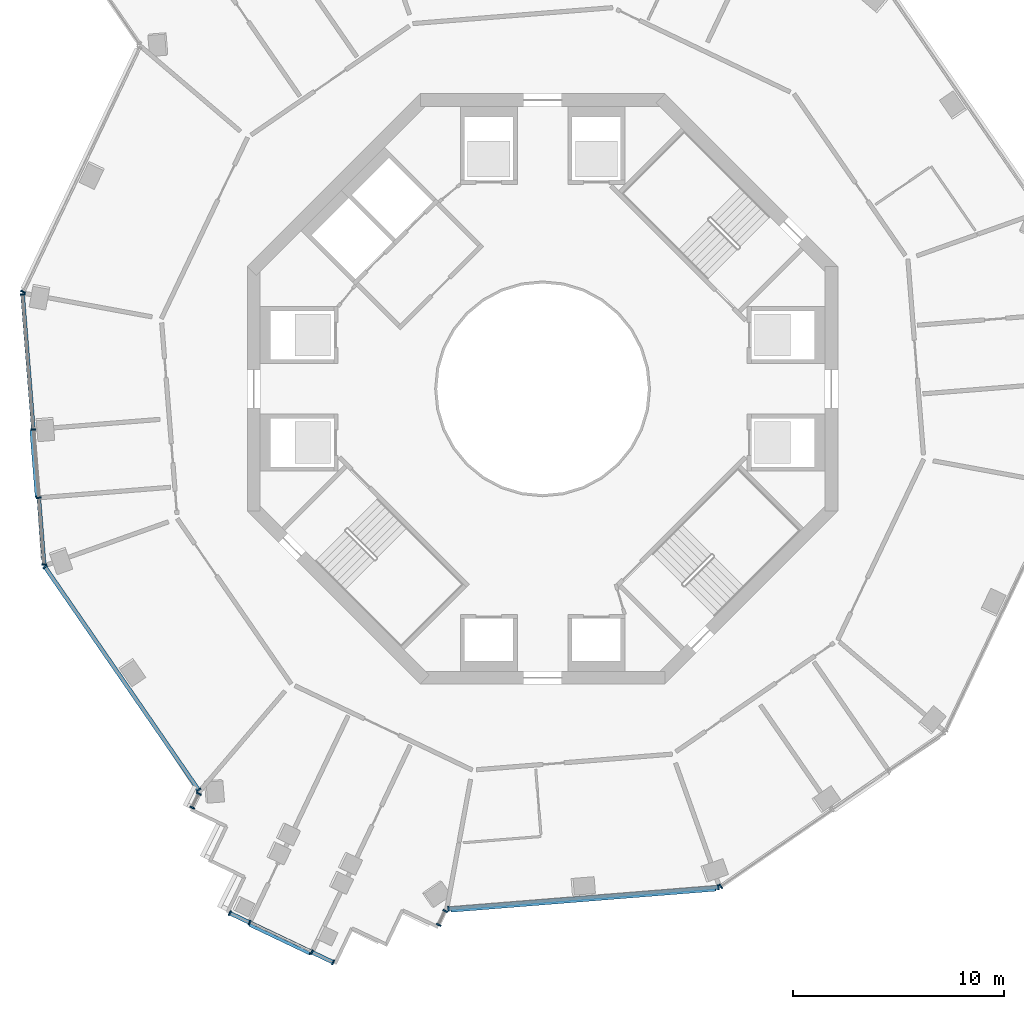
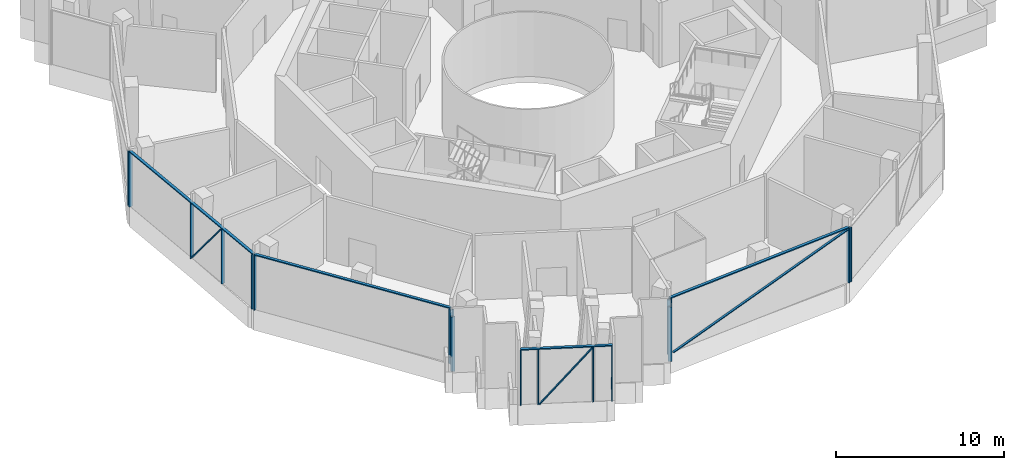
# One storey, part 2 of 21: 25 members, 8 elements without a shape of their own.
"""IFC4 building model written with IfcOpenShell, lengths in metres."""

from ifc_helpers import new_model, si_unit, direction, frame, origin, origin_2d, place, context, subcontext, project, spatial, rectangle, extrude, material, layer, layer_set, material_profile, profile_set, type_object, element, aggregate, save


model = new_model("IFC4")

# Units and contexts
model_context = context("Model", 3, precision=1e-05, world=origin(), true_north=direction((0.0, 1.0)))
body_context = subcontext(model_context, "Body", "Model", "MODEL_VIEW")
ifc_project = project(units=[si_unit("LENGTHUNIT", "METRE"), si_unit("AREAUNIT", "SQUARE_METRE"), si_unit("VOLUMEUNIT", "CUBIC_METRE"), si_unit("PLANEANGLEUNIT", "RADIAN"), si_unit("MASSUNIT", "GRAM", prefix="KILO")], contexts=[model_context])

# Site, building, storey
site_placement = place(None, origin())
site = spatial("IfcSite", under=ifc_project, at=site_placement, CompositionType="ELEMENT")
building_placement = place(site_placement, origin())
building = spatial("IfcBuilding", under=site, at=building_placement, Name="Verdalira Terraces Hotel", CompositionType="ELEMENT")
storey_placement = place(building_placement, frame((0.0, 0.0, 175.0)))
storey = spatial("IfcBuildingStorey", under=building, at=storey_placement, Name="L42", CompositionType="ELEMENT", Elevation=175.0)

# Curtain wall, member
ifc_material_1 = material(Name="Clear glass", Category="glass")
ifc_layer = layer(ifc_material_1, 0.239990234375)
ifc_layer_set = layer_set([ifc_layer], Name="CW5 curtain wall")
curtain_wall_type = type_object("IfcCurtainWallType", Name="CW5 curtain wall", PredefinedType="NOTDEFINED", material=ifc_layer_set)
curtain_wall_1_placement = place(storey_placement, origin())
curtain_wall_1 = element("IfcCurtainWall", 1, at=curtain_wall_1_placement, inside=storey, type_object=curtain_wall_type, Name="CW5 curtain wall L42 edge 11", PredefinedType="NOTDEFINED")
ifc_material_2 = material(Name="Terracotta frame", Category="masonry")
ifc_material_profile_1 = material_profile(ifc_material_2, rectangle(XDim=0.070068, YDim=0.23999, at=origin_2d()), Name="MU 70x240")
ifc_profile_set_1 = profile_set([ifc_material_profile_1], Name="Terracotta frame")
member_type_1 = type_object("IfcMemberType", Name="CW5 mullion 70x240", PredefinedType="MULLION", material=ifc_profile_set_1)
member_1_placement = place(storey_placement, frame((-24.638916, 4.605713, 0.0), z_axis=(0.0, 0.0, 1.0), x_axis=(-0.429565676, -0.90303562, 0.0)))
member_1 = element("IfcMember", 2, at=member_1_placement, type_object=member_type_1, Name="CW5 mullion", PredefinedType="MULLION", context=body_context, shape_type="SweptSolid", body=[
    extrude(rectangle(XDim=0.070068, YDim=0.23999, at=origin_2d()), origin(), (0.0, 0.0, 1.0), 3.965088),
])
aggregate(curtain_wall_1, [member_1])

# Curtain wall, members
curtain_wall_2_placement = place(storey_placement, origin())
curtain_wall_2 = element("IfcCurtainWall", 3, at=curtain_wall_2_placement, inside=storey, type_object=curtain_wall_type, Name="CW5 curtain wall L42 edge 12", PredefinedType="NOTDEFINED")
member_2_placement = place(storey_placement, frame((-24.662354, 4.478271, 0.0), z_axis=(0.0, 0.0, 1.0), x_axis=(0.079503022, -0.996834625, 0.0)))
member_2 = element("IfcMember", 4, at=member_2_placement, type_object=member_type_1, Name="CW5 mullion", PredefinedType="MULLION", context=body_context, shape_type="SweptSolid", body=[
    extrude(rectangle(XDim=0.070068, YDim=0.23999, at=origin_2d()), origin(), (0.0, 0.0, 1.0), 3.965088),
])
member_3_placement = place(storey_placement, frame((-24.151611, -1.92627, 0.0), z_axis=(0.0, 0.0, 1.0), x_axis=(0.079503022, -0.996834625, 0.0)))
member_3 = element("IfcMember", 5, at=member_3_placement, type_object=member_type_1, Name="CW5 mullion", PredefinedType="MULLION", context=body_context, shape_type="SweptSolid", body=[
    extrude(rectangle(XDim=0.070068, YDim=0.23999, at=origin_2d()), origin(), (0.0, 0.0, 1.0), 3.965088),
])
member_4_placement = place(storey_placement, frame((-23.893311, -5.166016, 0.0), z_axis=(0.0, 0.0, 1.0), x_axis=(0.079503022, -0.996834625, 0.0)))
member_4 = element("IfcMember", 6, at=member_4_placement, type_object=member_type_1, Name="CW5 mullion", PredefinedType="MULLION", context=body_context, shape_type="SweptSolid", body=[
    extrude(rectangle(XDim=0.070068, YDim=0.23999, at=origin_2d()), origin(), (0.0, 0.0, 1.0), 3.965088),
])
member_5_placement = place(storey_placement, frame((-23.640869, -8.330811, 0.0), z_axis=(0.0, 0.0, 1.0), x_axis=(0.079503022, -0.996834625, 0.0)))
member_5 = element("IfcMember", 7, at=member_5_placement, type_object=member_type_1, Name="CW5 mullion", PredefinedType="MULLION", context=body_context, shape_type="SweptSolid", body=[
    extrude(rectangle(XDim=0.070068, YDim=0.23999, at=origin_2d()), origin(), (0.0, 0.0, 1.0), 3.965088),
])

curtain_wall_3_placement = place(storey_placement, origin())
curtain_wall_3 = element("IfcCurtainWall", 8, at=curtain_wall_3_placement, inside=storey, type_object=curtain_wall_type, Name="CW5 curtain wall L42 edge 13", PredefinedType="NOTDEFINED")
member_6_placement = place(storey_placement, frame((-23.597412, -8.452881, 0.0), z_axis=(0.0, 0.0, 1.0), x_axis=(0.567268949, -0.823532598, 0.0)))
member_6 = element("IfcMember", 9, at=member_6_placement, type_object=member_type_1, Name="CW5 mullion", PredefinedType="MULLION", context=body_context, shape_type="SweptSolid", body=[
    extrude(rectangle(XDim=0.070068, YDim=0.23999, at=origin_2d()), origin(), (0.0, 0.0, 1.0), 3.965088),
])
member_7_placement = place(storey_placement, frame((-16.314941, -19.025391, 0.0), z_axis=(0.0, 0.0, 1.0), x_axis=(0.567268949, -0.823532598, 0.0)))
member_7 = element("IfcMember", 10, at=member_7_placement, type_object=member_type_1, Name="CW5 mullion", PredefinedType="MULLION", context=body_context, shape_type="SweptSolid", body=[
    extrude(rectangle(XDim=0.070068, YDim=0.23999, at=origin_2d()), origin(), (0.0, 0.0, 1.0), 3.965088),
])

curtain_wall_4_placement = place(storey_placement, origin())
curtain_wall_4 = element("IfcCurtainWall", 11, at=curtain_wall_4_placement, inside=storey, type_object=curtain_wall_type, Name="CW5 curtain wall L42 edge 14", PredefinedType="NOTDEFINED")
member_8_placement = place(storey_placement, frame((-16.300537, -19.205322, 0.0), z_axis=(0.0, 0.0, 1.0), x_axis=(-0.429565676, -0.90303562, 0.0)))
member_8 = element("IfcMember", 12, at=member_8_placement, type_object=member_type_1, Name="CW5 mullion", PredefinedType="MULLION", context=body_context, shape_type="SweptSolid", body=[
    extrude(rectangle(XDim=0.070068, YDim=0.23999, at=origin_2d()), origin(), (0.0, 0.0, 1.0), 3.965088),
])
member_9_placement = place(storey_placement, frame((-16.613281, -19.862793, 0.0), z_axis=(0.0, 0.0, 1.0), x_axis=(-0.429565676, -0.90303562, 0.0)))
member_9 = element("IfcMember", 13, at=member_9_placement, type_object=member_type_1, Name="CW5 mullion", PredefinedType="MULLION", context=body_context, shape_type="SweptSolid", body=[
    extrude(rectangle(XDim=0.070068, YDim=0.23999, at=origin_2d()), origin(), (0.0, 0.0, 1.0), 3.965088),
])
aggregate(curtain_wall_4, [member_8, member_9])

curtain_wall_5_placement = place(storey_placement, origin())
curtain_wall_5 = element("IfcCurtainWall", 14, at=curtain_wall_5_placement, inside=storey, type_object=curtain_wall_type, Name="CW5 curtain wall L42 edge 19", PredefinedType="NOTDEFINED")
member_10_placement = place(storey_placement, frame((-14.835449, -24.866699, 0.0), z_axis=(0.0, 0.0, 1.0), x_axis=(0.90303562, -0.429565676, 0.0)))
member_10 = element("IfcMember", 15, at=member_10_placement, type_object=member_type_1, Name="CW5 mullion", PredefinedType="MULLION", context=body_context, shape_type="SweptSolid", body=[
    extrude(rectangle(XDim=0.070068, YDim=0.23999, at=origin_2d()), origin(), (0.0, 0.0, 1.0), 3.965088),
])
member_11_placement = place(storey_placement, frame((-13.891846, -25.315674, 0.0), z_axis=(0.0, 0.0, 1.0), x_axis=(0.90303562, -0.429565676, 0.0)))
member_11 = element("IfcMember", 16, at=member_11_placement, type_object=member_type_1, Name="CW5 mullion", PredefinedType="MULLION", context=body_context, shape_type="SweptSolid", body=[
    extrude(rectangle(XDim=0.070068, YDim=0.23999, at=origin_2d()), origin(), (0.0, 0.0, 1.0), 3.965088),
])
member_12_placement = place(storey_placement, frame((-10.943848, -26.718018, 0.0), z_axis=(0.0, 0.0, 1.0), x_axis=(0.90303562, -0.429565676, 0.0)))
member_12 = element("IfcMember", 17, at=member_12_placement, type_object=member_type_1, Name="CW5 mullion", PredefinedType="MULLION", context=body_context, shape_type="SweptSolid", body=[
    extrude(rectangle(XDim=0.070068, YDim=0.23999, at=origin_2d()), origin(), (0.0, 0.0, 1.0), 3.965088),
])
member_13_placement = place(storey_placement, frame((-9.931885, -27.199219, 0.0), z_axis=(0.0, 0.0, 1.0), x_axis=(0.90303562, -0.429565676, 0.0)))
member_13 = element("IfcMember", 18, at=member_13_placement, type_object=member_type_1, Name="CW5 mullion", PredefinedType="MULLION", context=body_context, shape_type="SweptSolid", body=[
    extrude(rectangle(XDim=0.070068, YDim=0.23999, at=origin_2d()), origin(), (0.0, 0.0, 1.0), 3.965088),
])

curtain_wall_6_placement = place(storey_placement, origin())
curtain_wall_6 = element("IfcCurtainWall", 19, at=curtain_wall_6_placement, inside=storey, type_object=curtain_wall_type, Name="CW5 curtain wall L42 edge 24", PredefinedType="NOTDEFINED")
member_14_placement = place(storey_placement, frame((-4.927979, -25.421387, 0.0), z_axis=(0.0, 0.0, 1.0), x_axis=(0.429565676, 0.90303562, 0.0)))
member_14 = element("IfcMember", 20, at=member_14_placement, type_object=member_type_1, Name="CW5 mullion", PredefinedType="MULLION", context=body_context, shape_type="SweptSolid", body=[
    extrude(rectangle(XDim=0.070068, YDim=0.23999, at=origin_2d()), origin(), (0.0, 0.0, 1.0), 3.965088),
])
member_15_placement = place(storey_placement, frame((-4.615234, -24.763916, 0.0), z_axis=(0.0, 0.0, 1.0), x_axis=(0.429565676, 0.90303562, 0.0)))
member_15 = element("IfcMember", 21, at=member_15_placement, type_object=member_type_1, Name="CW5 mullion", PredefinedType="MULLION", context=body_context, shape_type="SweptSolid", body=[
    extrude(rectangle(XDim=0.070068, YDim=0.23999, at=origin_2d()), origin(), (0.0, 0.0, 1.0), 3.965088),
])
aggregate(curtain_wall_6, [member_14, member_15])

curtain_wall_7_placement = place(storey_placement, origin())
curtain_wall_7 = element("IfcCurtainWall", 22, at=curtain_wall_7_placement, inside=storey, type_object=curtain_wall_type, Name="CW5 curtain wall L42 edge 25", PredefinedType="NOTDEFINED")
member_16_placement = place(storey_placement, frame((-4.466553, -24.661377, 0.0), z_axis=(0.0, 0.0, 1.0), x_axis=(0.996834625, 0.079503022, 0.0)))
member_16 = element("IfcMember", 23, at=member_16_placement, type_object=member_type_1, Name="CW5 mullion", PredefinedType="MULLION", context=body_context, shape_type="SweptSolid", body=[
    extrude(rectangle(XDim=0.070068, YDim=0.23999, at=origin_2d()), origin(), (0.0, 0.0, 1.0), 3.965088),
])
member_17_placement = place(storey_placement, frame((8.330811, -23.640869, 0.0), z_axis=(0.0, 0.0, 1.0), x_axis=(0.996834625, 0.079503022, 0.0)))
member_17 = element("IfcMember", 24, at=member_17_placement, type_object=member_type_1, Name="CW5 mullion", PredefinedType="MULLION", context=body_context, shape_type="SweptSolid", body=[
    extrude(rectangle(XDim=0.070068, YDim=0.23999, at=origin_2d()), origin(), (0.0, 0.0, 1.0), 3.965088),
])

# Curtain wall, member
curtain_wall_8_placement = place(storey_placement, origin())
curtain_wall_8 = element("IfcCurtainWall", 25, at=curtain_wall_8_placement, inside=storey, type_object=curtain_wall_type, Name="CW5 curtain wall L42 edge 26", PredefinedType="NOTDEFINED")
member_18_placement = place(storey_placement, frame((8.452881, -23.597412, 0.0), z_axis=(0.0, 0.0, 1.0), x_axis=(0.823532598, 0.567268949, 0.0)))
member_18 = element("IfcMember", 26, at=member_18_placement, type_object=member_type_1, Name="CW5 mullion", PredefinedType="MULLION", context=body_context, shape_type="SweptSolid", body=[
    extrude(rectangle(XDim=0.070068, YDim=0.23999, at=origin_2d()), origin(), (0.0, 0.0, 1.0), 3.965088),
])
aggregate(curtain_wall_8, [member_18])

# Member
ifc_material_3 = material(Name="Terracotta frame", Category="masonry")
ifc_material_profile_2 = material_profile(ifc_material_3, rectangle(XDim=0.189941, YDim=0.074951, at=origin_2d()), Name="TR 75x190")
ifc_profile_set_2 = profile_set([ifc_material_profile_2], Name="Terracotta frame")
member_type_2 = type_object("IfcMemberType", Name="CW5 transom 75x190", PredefinedType="USERDEFINED", material=ifc_profile_set_2)
member_19_placement = place(storey_placement, frame((-24.665283, 4.513184, 4.002441), z_axis=(0.079499619, -0.996834896, 0.0), x_axis=(0.996834896, 0.079499619, 0.0)))
member_19 = element("IfcMember", 27, at=member_19_placement, type_object=member_type_2, Name="CW5 transom", ObjectType="TRANSOM", PredefinedType="USERDEFINED", context=body_context, shape_type="SweptSolid", body=[
    extrude(rectangle(XDim=0.189941, YDim=0.074951, at=origin_2d()), origin(), (0.0, 0.0, 1.0), 12.919434),
])

member_20_placement = place(storey_placement, frame((-23.617188, -8.424072, 4.002441), z_axis=(0.567255068, -0.823542159, 0.0), x_axis=(0.823542159, 0.567255068, 0.0)))
member_20 = element("IfcMember", 28, at=member_20_placement, type_object=member_type_2, Name="CW5 transom", ObjectType="TRANSOM", PredefinedType="USERDEFINED", context=body_context, shape_type="SweptSolid", body=[
    extrude(rectangle(XDim=0.189941, YDim=0.074951, at=origin_2d()), origin(), (0.0, 0.0, 1.0), 12.907715),
])

aggregate(curtain_wall_3, [member_6, member_7, member_20])

member_21_placement = place(storey_placement, frame((-14.866943, -24.851807, 4.002441), z_axis=(0.903035216, -0.429566524, 0.0), x_axis=(0.429566524, 0.903035216, 0.0)))
member_21 = element("IfcMember", 29, at=member_21_placement, type_object=member_type_2, Name="CW5 transom", ObjectType="TRANSOM", PredefinedType="USERDEFINED", context=body_context, shape_type="SweptSolid", body=[
    extrude(rectangle(XDim=0.189941, YDim=0.074951, at=origin_2d()), origin(), (0.0, 0.0, 1.0), 5.499756),
])

member_22_placement = place(storey_placement, frame((-4.501465, -24.664307, 4.002441), z_axis=(0.996835154, 0.079496388, 0.0), x_axis=(-0.079496388, 0.996835154, 0.0)))
member_22 = element("IfcMember", 30, at=member_22_placement, type_object=member_type_2, Name="CW5 transom", ObjectType="TRANSOM", PredefinedType="USERDEFINED", context=body_context, shape_type="SweptSolid", body=[
    extrude(rectangle(XDim=0.189941, YDim=0.074951, at=origin_2d()), origin(), (0.0, 0.0, 1.0), 12.907715),
])

ifc_material_4 = material(Name="Terracotta frame", Category="masonry")
ifc_material_profile_3 = material_profile(ifc_material_4, rectangle(XDim=0.149902, YDim=0.060059, at=origin_2d()), Name="GB 60x150")
ifc_profile_set_3 = profile_set([ifc_material_profile_3], Name="Terracotta frame")
member_type_3 = type_object("IfcMemberType", Name="Diagonal glazing bar 60x150", PredefinedType="USERDEFINED", material=ifc_profile_set_3)
member_23_placement = place(storey_placement, frame((-24.243652, -1.993408, 0.030762), z_axis=(0.049765358, -0.623677033, 0.780096384), x_axis=(0.996831622, 0.07954066, 0.0)))
member_23 = element("IfcMember", 31, at=member_23_placement, type_object=member_type_3, Name="Diagonal glazing bar", ObjectType="GLAZING BAR", PredefinedType="USERDEFINED", context=body_context, shape_type="SweptSolid", body=[
    extrude(rectangle(XDim=0.149902, YDim=0.060059, at=origin_2d()), origin(), (0.0, 0.0, 1.0), 5.003906),
])

aggregate(curtain_wall_2, [member_2, member_3, member_4, member_5, member_19, member_23])

member_24_placement = place(storey_placement, frame((-13.879639, -25.428711, 0.030518), z_axis=(0.566558321, -0.269546184, 0.778688977), x_axis=(0.429617199, 0.903011109, 0.0)))
member_24 = element("IfcMember", 32, at=member_24_placement, type_object=member_type_3, Name="Diagonal glazing bar", ObjectType="GLAZING BAR", PredefinedType="USERDEFINED", context=body_context, shape_type="SweptSolid", body=[
    extrude(rectangle(XDim=0.149902, YDim=0.060059, at=origin_2d()), origin(), (0.0, 0.0, 1.0), 5.013428),
])

aggregate(curtain_wall_5, [member_10, member_11, member_12, member_13, member_21, member_24])

member_25_placement = place(storey_placement, frame((-4.330078, -24.747803, 0.029297), z_axis=(0.951988587, 0.075917397, 0.296570866), x_axis=(-0.079493753, 0.996835364, 0.0)))
member_25 = element("IfcMember", 33, at=member_25_placement, type_object=member_type_3, Name="Diagonal glazing bar", ObjectType="GLAZING BAR", PredefinedType="USERDEFINED", context=body_context, shape_type="SweptSolid", body=[
    extrude(rectangle(XDim=0.149902, YDim=0.060059, at=origin_2d()), origin(), (0.0, 0.0, 1.0), 13.172119),
])

aggregate(curtain_wall_7, [member_16, member_17, member_22, member_25])

save(model, "model.ifc")
